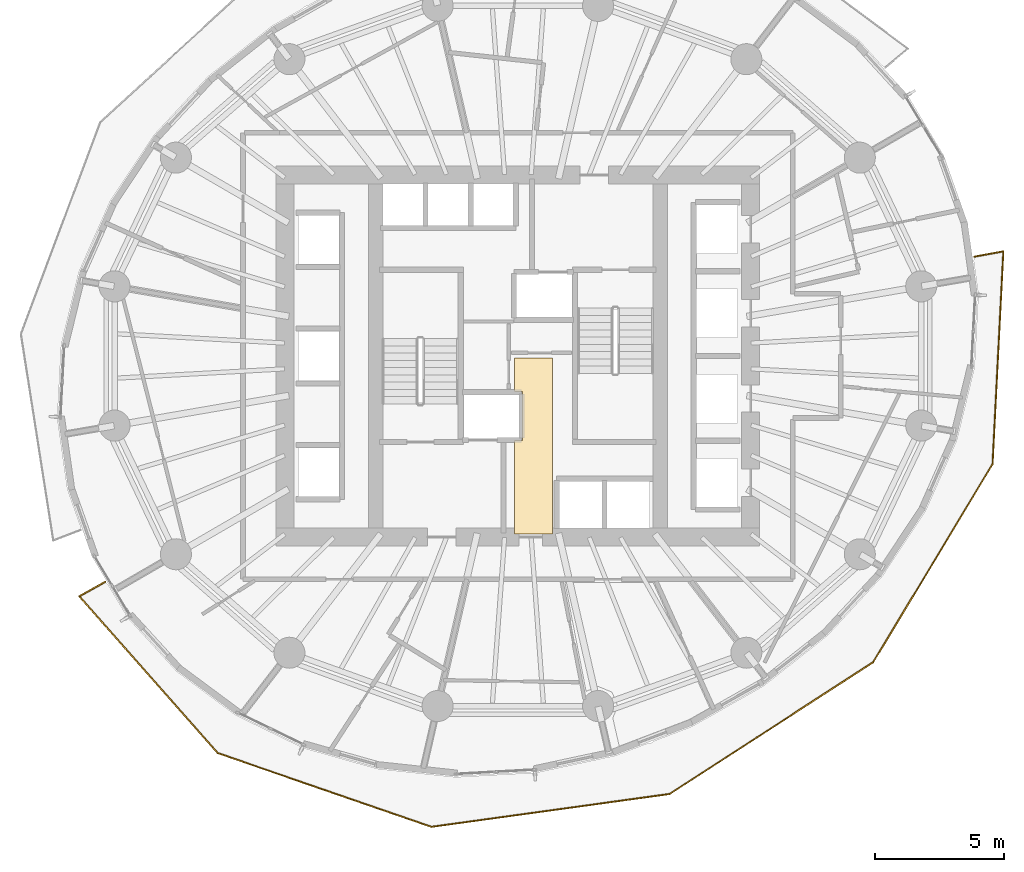
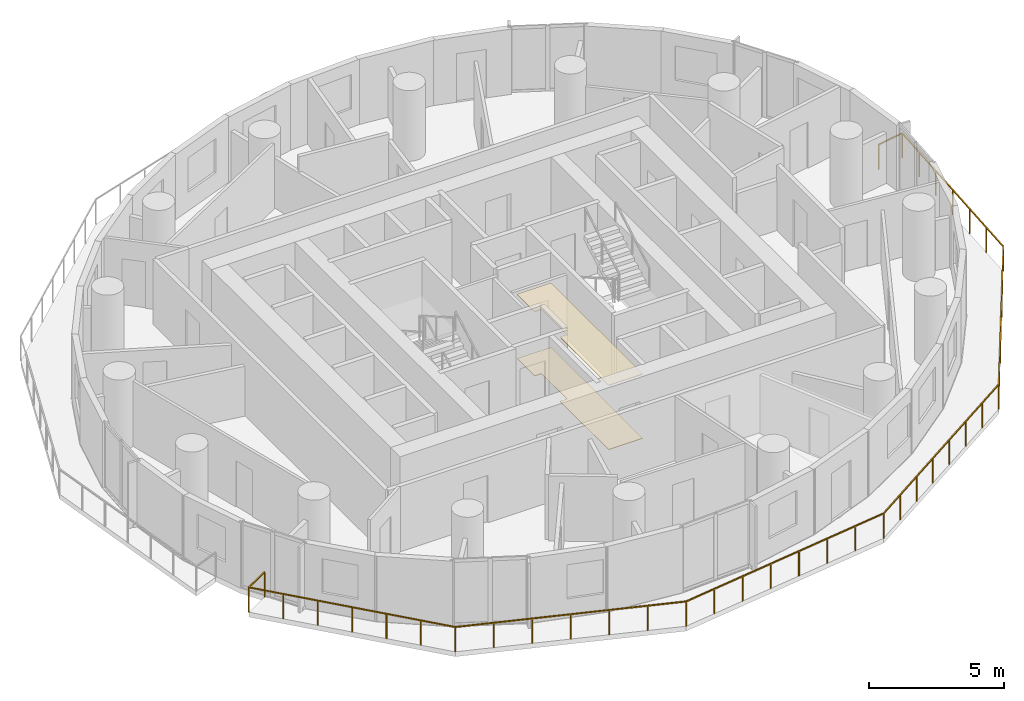
# One storey, part 12 of 15: 2 coverings, 1 railing.
"""IFC4 building model written with IfcOpenShell, lengths in metres."""

from ifc_helpers import new_model, si_unit, direction, frame, origin, origin_2d, place, context, subcontext, project, spatial, polyline, rectangle, outline, extrude, material, layer, layer_set, type_object, element, save


model = new_model("IFC4")

# Units and contexts
model_context = context("Model", 3, precision=1e-05, world=origin(), true_north=direction((0.0, 1.0)))
body_context = subcontext(model_context, "Body", "Model", "MODEL_VIEW")
ifc_project = project(units=[si_unit("LENGTHUNIT", "METRE"), si_unit("AREAUNIT", "SQUARE_METRE"), si_unit("VOLUMEUNIT", "CUBIC_METRE"), si_unit("PLANEANGLEUNIT", "RADIAN"), si_unit("MASSUNIT", "GRAM", prefix="KILO")], contexts=[model_context])

# Site, building, storey
site_placement = place(None, origin())
site = spatial("IfcSite", under=ifc_project, at=site_placement, CompositionType="ELEMENT")
building_placement = place(site_placement, origin())
building = spatial("IfcBuilding", under=site, at=building_placement, Name="Veldorim Arch Residences", CompositionType="ELEMENT")
storey_placement = place(building_placement, frame((0.0, 0.0, 106.080078125)))
storey = spatial("IfcBuildingStorey", under=building, at=storey_placement, Name="L31", CompositionType="ELEMENT", Elevation=106.080078125)

# Railing
ifc_material_1 = material(Name="Aluminium", Category="aluminium")
railing_type = type_object("IfcRailingType", Name="Balcony & Terrace Laminated Glass Balustrade 1150", PredefinedType="BALUSTRADE", material=ifc_material_1)
railing_placement = place(storey_placement, frame((16.044677734375, 15.26708984375, 0.0)))
element("IfcRailing", 1, at=railing_placement, inside=storey, type_object=railing_type, Name="L31 crescent balcony safety balustrade B", PredefinedType="BALUSTRADE", context=body_context, shape_type="SweptSolid", body=[
    extrude(rectangle(XDim=0.048095703125, YDim=0.048095703125, at=origin_2d()), frame((0.0, 0.0, 1.1259765625), z_axis=(-0.8727918725, -0.488092560175, 0.0), x_axis=(0.488092560175, -0.8727918725, 0.0)), (0.0, 0.0, 1.0), 1.14990234375),
    extrude(rectangle(XDim=0.048095703125, YDim=0.048095703125, at=origin_2d()), frame((-1.003662109375, -0.561279296875, 1.1259765625), z_axis=(0.662402646485, -0.749148005356, 0.0), x_axis=(0.749148005356, 0.662402646485, 0.0)), (0.0, 0.0, 1.0), 8.091552734375),
    extrude(rectangle(XDim=0.048095703125, YDim=0.048095703125, at=origin_2d()), frame((4.356201171875, -6.623046875, 1.1259765625), z_axis=(0.945191617252, -0.326516166026, 0.0), x_axis=(0.326516166026, 0.945191617252, 0.0)), (0.0, 0.0, 1.0), 8.7333984375),
    extrude(rectangle(XDim=0.048095703125, YDim=0.048095703125, at=origin_2d()), frame((12.61083984375, -9.474609375, 1.1259765625), z_axis=(0.990610826647, 0.136712070167, 0.0), x_axis=(-0.136712070167, 0.990610826647, 0.0)), (0.0, 0.0, 1.0), 9.293212890625),
    extrude(rectangle(XDim=0.048095703125, YDim=0.048095703125, at=origin_2d()), frame((21.81689453125, -8.2041015625, 1.1259765625), z_axis=(0.839537351056, 0.543301975131, 0.0), x_axis=(-0.543301975131, 0.839537351056, 0.0)), (0.0, 0.0, 1.0), 9.384521484375),
    extrude(rectangle(XDim=0.048095703125, YDim=0.048095703125, at=origin_2d()), frame((29.695556640625, -3.10546875, 1.1259765625), z_axis=(0.516189857319, 0.856474185951, 0.0), x_axis=(-0.856474185951, 0.516189857319, 0.0)), (0.0, 0.0, 1.0), 8.938232421875),
    extrude(rectangle(XDim=0.048095703125, YDim=0.048095703125, at=origin_2d()), frame((34.309326171875, 4.5498046875, 1.1259765625), z_axis=(0.050669143885, 0.998715493951, 0.0), x_axis=(-0.998715493951, 0.050669143885, 0.0)), (0.0, 0.0, 1.0), 8.2392578125),
    extrude(rectangle(XDim=0.048095703125, YDim=0.048095703125, at=origin_2d()), frame((34.726806640625, 12.778564453125, 1.1259765625), z_axis=(-0.983583328079, -0.180454528139, 0.0), x_axis=(0.180454528139, -0.983583328079, 0.0)), (0.0, 0.0, 1.0), 1.14990234375),
    extrude(rectangle(XDim=0.0419921875, YDim=0.0419921875, at=origin_2d()), origin(), (0.0, 0.0, 1.0), 1.101806640625),
    extrude(rectangle(XDim=0.0419921875, YDim=0.0419921875, at=origin_2d()), frame((-1.003662109375, -0.561279296875, 0.0)), (0.0, 0.0, 1.0), 1.101806640625),
    extrude(rectangle(XDim=0.0419921875, YDim=0.0419921875, at=origin_2d()), frame((-0.1103515625, -1.571533203125, 0.0)), (0.0, 0.0, 1.0), 1.101806640625),
    extrude(rectangle(XDim=0.0419921875, YDim=0.0419921875, at=origin_2d()), frame((0.782958984375, -2.581787109375, 0.0)), (0.0, 0.0, 1.0), 1.101806640625),
    extrude(rectangle(XDim=0.0419921875, YDim=0.0419921875, at=origin_2d()), frame((1.67626953125, -3.59228515625, 0.0)), (0.0, 0.0, 1.0), 1.101806640625),
    extrude(rectangle(XDim=0.0419921875, YDim=0.0419921875, at=origin_2d()), frame((2.569580078125, -4.6025390625, 0.0)), (0.0, 0.0, 1.0), 1.101806640625),
    extrude(rectangle(XDim=0.0419921875, YDim=0.0419921875, at=origin_2d()), frame((3.462890625, -5.61279296875, 0.0)), (0.0, 0.0, 1.0), 1.101806640625),
    extrude(rectangle(XDim=0.0419921875, YDim=0.0419921875, at=origin_2d()), frame((4.356201171875, -6.623046875, 0.0)), (0.0, 0.0, 1.0), 1.101806640625),
    extrude(rectangle(XDim=0.0419921875, YDim=0.0419921875, at=origin_2d()), frame((5.73193359375, -7.098388671875, 0.0)), (0.0, 0.0, 1.0), 1.101806640625),
    extrude(rectangle(XDim=0.0419921875, YDim=0.0419921875, at=origin_2d()), frame((7.107666015625, -7.573486328125, 0.0)), (0.0, 0.0, 1.0), 1.101806640625),
    extrude(rectangle(XDim=0.0419921875, YDim=0.0419921875, at=origin_2d()), frame((8.4833984375, -8.048828125, 0.0)), (0.0, 0.0, 1.0), 1.101806640625),
    extrude(rectangle(XDim=0.0419921875, YDim=0.0419921875, at=origin_2d()), frame((9.859375, -8.524169921875, 0.0)), (0.0, 0.0, 1.0), 1.101806640625),
    extrude(rectangle(XDim=0.0419921875, YDim=0.0419921875, at=origin_2d()), frame((11.235107421875, -8.999267578125, 0.0)), (0.0, 0.0, 1.0), 1.101806640625),
    extrude(rectangle(XDim=0.0419921875, YDim=0.0419921875, at=origin_2d()), frame((12.61083984375, -9.474609375, 0.0)), (0.0, 0.0, 1.0), 1.101806640625),
    extrude(rectangle(XDim=0.0419921875, YDim=0.0419921875, at=origin_2d()), frame((13.926025390625, -9.293212890625, 0.0)), (0.0, 0.0, 1.0), 1.101806640625),
    extrude(rectangle(XDim=0.0419921875, YDim=0.0419921875, at=origin_2d()), frame((15.2412109375, -9.111572265625, 0.0)), (0.0, 0.0, 1.0), 1.101806640625),
    extrude(rectangle(XDim=0.0419921875, YDim=0.0419921875, at=origin_2d()), frame((16.556396484375, -8.93017578125, 0.0)), (0.0, 0.0, 1.0), 1.101806640625),
    extrude(rectangle(XDim=0.0419921875, YDim=0.0419921875, at=origin_2d()), frame((17.871337890625, -8.74853515625, 0.0)), (0.0, 0.0, 1.0), 1.101806640625),
    extrude(rectangle(XDim=0.0419921875, YDim=0.0419921875, at=origin_2d()), frame((19.1865234375, -8.567138671875, 0.0)), (0.0, 0.0, 1.0), 1.101806640625),
    extrude(rectangle(XDim=0.0419921875, YDim=0.0419921875, at=origin_2d()), frame((20.501708984375, -8.385498046875, 0.0)), (0.0, 0.0, 1.0), 1.101806640625),
    extrude(rectangle(XDim=0.0419921875, YDim=0.0419921875, at=origin_2d()), frame((21.81689453125, -8.2041015625, 0.0)), (0.0, 0.0, 1.0), 1.101806640625),
    extrude(rectangle(XDim=0.0419921875, YDim=0.0419921875, at=origin_2d()), frame((22.9423828125, -7.475830078125, 0.0)), (0.0, 0.0, 1.0), 1.101806640625),
    extrude(rectangle(XDim=0.0419921875, YDim=0.0419921875, at=origin_2d()), frame((24.06787109375, -6.747314453125, 0.0)), (0.0, 0.0, 1.0), 1.101806640625),
    extrude(rectangle(XDim=0.0419921875, YDim=0.0419921875, at=origin_2d()), frame((25.193359375, -6.01904296875, 0.0)), (0.0, 0.0, 1.0), 1.101806640625),
    extrude(rectangle(XDim=0.0419921875, YDim=0.0419921875, at=origin_2d()), frame((26.319091796875, -5.29052734375, 0.0)), (0.0, 0.0, 1.0), 1.101806640625),
    extrude(rectangle(XDim=0.0419921875, YDim=0.0419921875, at=origin_2d()), frame((27.444580078125, -4.562255859375, 0.0)), (0.0, 0.0, 1.0), 1.101806640625),
    extrude(rectangle(XDim=0.0419921875, YDim=0.0419921875, at=origin_2d()), frame((28.570068359375, -3.833740234375, 0.0)), (0.0, 0.0, 1.0), 1.101806640625),
    extrude(rectangle(XDim=0.0419921875, YDim=0.0419921875, at=origin_2d()), frame((29.695556640625, -3.10546875, 0.0)), (0.0, 0.0, 1.0), 1.101806640625),
    extrude(rectangle(XDim=0.0419921875, YDim=0.0419921875, at=origin_2d()), frame((30.464599609375, -1.82958984375, 0.0)), (0.0, 0.0, 1.0), 1.101806640625),
    extrude(rectangle(XDim=0.0419921875, YDim=0.0419921875, at=origin_2d()), frame((31.2333984375, -0.5537109375, 0.0)), (0.0, 0.0, 1.0), 1.101806640625),
    extrude(rectangle(XDim=0.0419921875, YDim=0.0419921875, at=origin_2d()), frame((32.00244140625, 0.72216796875, 0.0)), (0.0, 0.0, 1.0), 1.101806640625),
    extrude(rectangle(XDim=0.0419921875, YDim=0.0419921875, at=origin_2d()), frame((32.771484375, 1.998046875, 0.0)), (0.0, 0.0, 1.0), 1.101806640625),
    extrude(rectangle(XDim=0.0419921875, YDim=0.0419921875, at=origin_2d()), frame((33.540283203125, 3.27392578125, 0.0)), (0.0, 0.0, 1.0), 1.101806640625),
    extrude(rectangle(XDim=0.0419921875, YDim=0.0419921875, at=origin_2d()), frame((34.309326171875, 4.5498046875, 0.0)), (0.0, 0.0, 1.0), 1.101806640625),
    extrude(rectangle(XDim=0.0419921875, YDim=0.0419921875, at=origin_2d()), frame((34.37890625, 5.92138671875, 0.0)), (0.0, 0.0, 1.0), 1.101806640625),
    extrude(rectangle(XDim=0.0419921875, YDim=0.0419921875, at=origin_2d()), frame((34.448486328125, 7.292724609375, 0.0)), (0.0, 0.0, 1.0), 1.101806640625),
    extrude(rectangle(XDim=0.0419921875, YDim=0.0419921875, at=origin_2d()), frame((34.51806640625, 8.6640625, 0.0)), (0.0, 0.0, 1.0), 1.101806640625),
    extrude(rectangle(XDim=0.0419921875, YDim=0.0419921875, at=origin_2d()), frame((34.587646484375, 10.03564453125, 0.0)), (0.0, 0.0, 1.0), 1.101806640625),
    extrude(rectangle(XDim=0.0419921875, YDim=0.0419921875, at=origin_2d()), frame((34.6572265625, 11.4072265625, 0.0)), (0.0, 0.0, 1.0), 1.101806640625),
    extrude(rectangle(XDim=0.0419921875, YDim=0.0419921875, at=origin_2d()), frame((34.726806640625, 12.778564453125, 0.0)), (0.0, 0.0, 1.0), 1.101806640625),
    extrude(rectangle(XDim=0.0419921875, YDim=0.0419921875, at=origin_2d()), frame((33.595703125, 12.571044921875, 0.0)), (0.0, 0.0, 1.0), 1.101806640625),
])

# Coverings
ifc_material_2 = material(Name="Acoustic Gypsum & Mineral Fibre", Category="gypsum")
ifc_layer_1 = layer(ifc_material_2, 0.034912109375, Name="Perforated Acoustic Mineral-Fibre Ceiling 35")
ifc_layer_set_1 = layer_set([ifc_layer_1], Name="Acoustic Gypsum & Mineral Fibre")
covering_type_1 = type_object("IfcCoveringType", Name="Perforated Acoustic Mineral-Fibre Ceiling 35", PredefinedType="CEILING", material=ifc_layer_set_1)
covering_1_placement = place(storey_placement, frame((0.0, 0.0, 2.905029296875)))
element("IfcCovering", 2, at=covering_1_placement, inside=storey, type_object=covering_type_1, Name="L31 acoustic suspended ceiling 01", PredefinedType="CEILING", context=body_context, shape_type="SweptSolid", body=[
    extrude(outline(polyline([(33.330078125, 23.929931640625), (33.330078125, 17.1201171875), (31.8701171875, 17.1201171875), (31.8701171875, 20.735107421875), (32.169921875, 20.735107421875), (32.169921875, 22.625), (31.8701171875, 22.625), (31.8701171875, 23.929931640625), (33.330078125, 23.929931640625)])), origin(), (0.0, 0.0, 1.0), 0.034912109375),
])
ifc_material_3 = material(Name="Porcelain Ceramic Tile", Category="ceramic")
ifc_layer_2 = layer(ifc_material_3, 0.02001953125, Name="Slip-Resistant Porcelain & Vinyl Floor Finish 20")
ifc_layer_set_2 = layer_set([ifc_layer_2], Name="Porcelain Ceramic Tile")
covering_type_2 = type_object("IfcCoveringType", Name="Slip-Resistant Porcelain & Vinyl Floor Finish 20", PredefinedType="FLOORING", material=ifc_layer_set_2)
covering_2_placement = place(storey_placement, origin())
element("IfcCovering", 3, at=covering_2_placement, inside=storey, type_object=covering_type_2, Name="L31 porcelain floor finish 01", PredefinedType="FLOORING", context=body_context, shape_type="SweptSolid", body=[
    extrude(outline(polyline([(33.330078125, 23.929931640625), (33.330078125, 17.1201171875), (31.8701171875, 17.1201171875), (31.8701171875, 20.735107421875), (32.169921875, 20.735107421875), (32.169921875, 22.625), (31.8701171875, 22.625), (31.8701171875, 23.929931640625), (33.330078125, 23.929931640625)])), origin(), (0.0, 0.0, 1.0), 0.02001953125),
])

save(model, "model.ifc")
